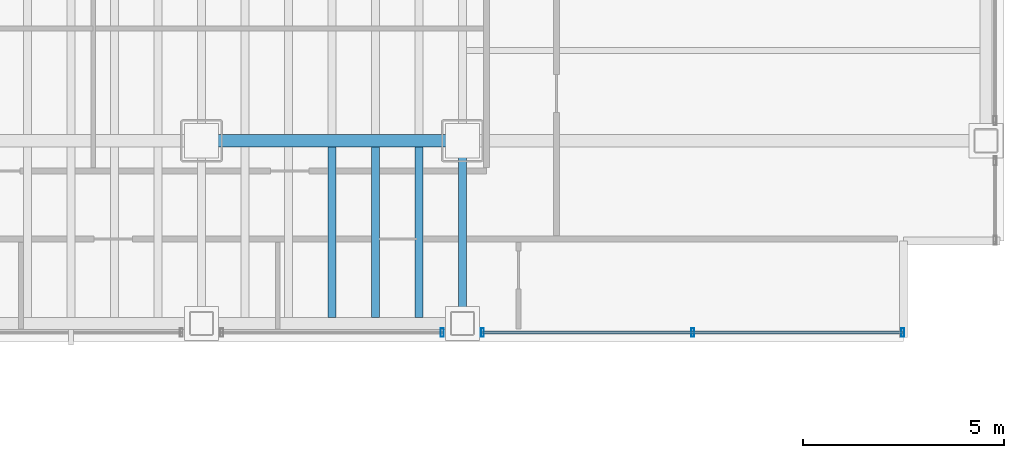
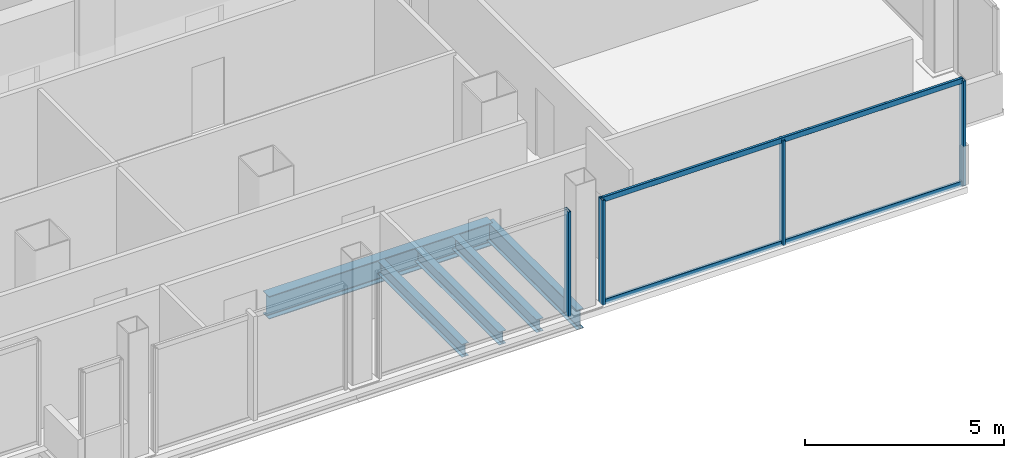
# One storey, part 8 of 20: 6 members, 5 beams, 2 elements without a shape of their own.
"""IFC4 building model written with IfcOpenShell, lengths in metres."""

from ifc_helpers import new_model, si_unit, direction, frame, origin, origin_2d, place, context, subcontext, project, spatial, hollow_rectangle, i_section, extrude, material, material_profile, profile_set, type_object, element, aggregate, save


model = new_model("IFC4")

# Units and contexts
model_context = context("Model", 3, precision=1e-05, world=origin(), true_north=direction((0.0, 1.0)))
body_context = subcontext(model_context, "Body", "Model", "MODEL_VIEW")
ifc_project = project(units=[si_unit("LENGTHUNIT", "METRE"), si_unit("AREAUNIT", "SQUARE_METRE"), si_unit("VOLUMEUNIT", "CUBIC_METRE"), si_unit("PLANEANGLEUNIT", "RADIAN"), si_unit("MASSUNIT", "GRAM", prefix="KILO")], contexts=[model_context])

# Site, building, storey
site_placement = place(None, origin())
site = spatial("IfcSite", under=ifc_project, at=site_placement, CompositionType="ELEMENT")
building_placement = place(site_placement, origin())
building = spatial("IfcBuilding", under=site, at=building_placement, Name="Noeulbin Bourse Tower", CompositionType="ELEMENT")
storey_placement = place(building_placement, frame((0.0, 0.0, 69.39990234375)))
storey = spatial("IfcBuildingStorey", under=building, at=storey_placement, Name="L17", CompositionType="ELEMENT", Elevation=69.39990234375)

# Beams
ifc_material_1 = material(Name="Steel S355", Category="steel")
ifc_material_profile_1 = material_profile(ifc_material_1, i_section(OverallWidth=0.199951171875, OverallDepth=0.60009765625, WebThickness=0.010986328125, FlangeThickness=0.01708984375, FilletRadius=0.02197265625, at=origin_2d()), Name="H-600x200x11x17", Category="LoadBearing")
ifc_profile_set_1 = profile_set([ifc_material_profile_1], Name="Steel S355")
beam_type_1 = type_object("IfcBeamType", Name="BM-GRD-600", PredefinedType="USERDEFINED", material=ifc_profile_set_1)
beam_1_placement = place(storey_placement, frame((44.0, 15.449951171875, -0.47998046875), z_axis=(0.0, 1.0, 0.0), x_axis=(-1.0, 0.0, 0.0)))
element("IfcBeam", 1, at=beam_1_placement, inside=storey, type_object=beam_type_1, Name="Tower Primary Girder NS L17-5.1", ObjectType="GIRDER", PredefinedType="USERDEFINED", context=body_context, shape_type="SweptSolid", body=[
    extrude(i_section(OverallWidth=0.199951171875, OverallDepth=0.60009765625, WebThickness=0.010986328125, FlangeThickness=0.01708984375, FilletRadius=0.02197265625, at=origin_2d()), origin(), (0.0, 0.0, 1.0), 4.550048828125),
])
ifc_material_profile_2 = material_profile(ifc_material_1, i_section(OverallWidth=0.300048828125, OverallDepth=0.699951171875, WebThickness=0.012939453125, FlangeThickness=0.02392578125, FilletRadius=0.02392578125, at=origin_2d()), Name="H-700x300x13x24", Category="LoadBearing")
ifc_profile_set_2 = profile_set([ifc_material_profile_2], Name="Steel S355")
beam_type_2 = type_object("IfcBeamType", Name="BM-GRD-700", PredefinedType="USERDEFINED", material=ifc_profile_set_2)
beam_2_placement = place(storey_placement, frame((37.5, 20.0, -0.52978515625), z_axis=(1.0, 0.0, 0.0), x_axis=(0.0, 1.0, 0.0)))
element("IfcBeam", 2, at=beam_2_placement, inside=storey, type_object=beam_type_2, Name="Tower Primary Girder EW L17-1.5", ObjectType="GIRDER", PredefinedType="USERDEFINED", context=body_context, shape_type="SweptSolid", body=[
    extrude(i_section(OverallWidth=0.300048828125, OverallDepth=0.699951171875, WebThickness=0.012939453125, FlangeThickness=0.02392578125, FilletRadius=0.02392578125, at=origin_2d()), origin(), (0.0, 0.0, 1.0), 6.5),
])
ifc_material_profile_3 = material_profile(ifc_material_1, i_section(OverallWidth=0.199951171875, OverallDepth=0.39990234375, WebThickness=0.008056640625, FlangeThickness=0.012939453125, FilletRadius=0.01611328125, at=origin_2d()), Name="H-400x200x8x13", Category="LoadBearing")
ifc_profile_set_3 = profile_set([ifc_material_profile_3], Name="Steel S355")
beam_type_3 = type_object("IfcBeamType", Name="BM-SEC-400", PredefinedType="BEAM", material=ifc_profile_set_3)
for number, where, z_axis, x_axis, name in (
    (3, (40.75, 15.60009765625, -0.3798828125), (0.0, 1.0, 0.0), (-1.0, 0.0, 0.0), "Tower Composite Joist L17-61"),
    (4, (41.833251953125, 15.60009765625, -0.3798828125), (0.0, 1.0, 0.0), (-1.0, 0.0, 0.0), "Tower Composite Joist L17-64"),
    (5, (42.916748046875, 15.60009765625, -0.3798828125), (0.0, 1.0, 0.0), (-1.0, 0.0, 0.0), "Tower Composite Joist L17-67"),
):
    element("IfcBeam", number, at=place(storey_placement, frame(where, z_axis=z_axis, x_axis=x_axis)), inside=storey, type_object=beam_type_3, Name=name, PredefinedType="BEAM", context=body_context, shape_type="SweptSolid", body=[
        extrude(i_section(OverallWidth=0.199951171875, OverallDepth=0.39990234375, WebThickness=0.008056640625, FlangeThickness=0.012939453125, FilletRadius=0.01611328125, at=origin_2d()), origin(), (0.0, 0.0, 1.0), 4.25),
    ])

# Curtain wall, member
ifc_material_2 = material(Name="Dark Solar-Control Double Glazing", Category="glass")
curtain_wall_type = type_object("IfcCurtainWallType", Name="CW-SYS-2", PredefinedType="NOTDEFINED", material=ifc_material_2)
curtain_wall_1_placement = place(storey_placement, origin())
curtain_wall_1 = element("IfcCurtainWall", 6, at=curtain_wall_1_placement, inside=storey, type_object=curtain_wall_type, Name="Unitised Curtain Wall CW-L17-S3-S3", PredefinedType="NOTDEFINED")
ifc_material_3 = material(Name="Anodised Aluminium 6063-T6", Category="aluminium")
ifc_material_profile_4 = material_profile(ifc_material_3, hollow_rectangle(XDim=0.074951171875, YDim=0.219970703125, WallThickness=0.0048828125, InnerFilletRadius=0.00244140625, OuterFilletRadius=0.0048828125, at=origin_2d()), Name="ALU-MULL-75x220x5", Category="LoadBearing")
ifc_profile_set_4 = profile_set([ifc_material_profile_4], Name="Anodised Aluminium 6063-T6")
member_type_1 = type_object("IfcMemberType", Name="CW-SYS-2-MUL", PredefinedType="MULLION", material=ifc_profile_set_4)
member_1_placement = place(storey_placement, frame((43.5, 15.219970703125, -0.02001953125), z_axis=(0.0, 0.0, 1.0), x_axis=(1.0, 0.0, 0.0)))
member_1 = element("IfcMember", 7, at=member_1_placement, type_object=member_type_1, Name="Curtain Wall Mullion CW-L17-S3-S3-M01", PredefinedType="MULLION", context=body_context, shape_type="SweptSolid", body=[
    extrude(hollow_rectangle(XDim=0.074951171875, YDim=0.219970703125, WallThickness=0.0048828125, InnerFilletRadius=0.00244140625, OuterFilletRadius=0.0048828125, at=origin_2d()), origin(), (0.0, 0.0, 1.0), 3.22021484375),
])
aggregate(curtain_wall_1, [member_1])

# Curtain wall, members
curtain_wall_2_placement = place(storey_placement, origin())
curtain_wall_2 = element("IfcCurtainWall", 8, at=curtain_wall_2_placement, inside=storey, type_object=curtain_wall_type, Name="Unitised Curtain Wall CW-L17-S3-S4", PredefinedType="NOTDEFINED")
member_2_placement = place(storey_placement, frame((44.5, 15.219970703125, -0.02001953125), z_axis=(0.0, 0.0, 1.0), x_axis=(1.0, 0.0, 0.0)))
member_2 = element("IfcMember", 9, at=member_2_placement, type_object=member_type_1, Name="Curtain Wall Mullion CW-L17-S3-S4-M00", PredefinedType="MULLION", context=body_context, shape_type="SweptSolid", body=[
    extrude(hollow_rectangle(XDim=0.074951171875, YDim=0.219970703125, WallThickness=0.0048828125, InnerFilletRadius=0.00244140625, OuterFilletRadius=0.0048828125, at=origin_2d()), origin(), (0.0, 0.0, 1.0), 3.22021484375),
])
member_3_placement = place(storey_placement, frame((49.739990234375, 15.219970703125, -0.02001953125), z_axis=(0.0, 0.0, 1.0), x_axis=(1.0, 0.0, 0.0)))
member_3 = element("IfcMember", 10, at=member_3_placement, type_object=member_type_1, Name="Curtain Wall Mullion CW-L17-S3-S4-M01", PredefinedType="MULLION", context=body_context, shape_type="SweptSolid", body=[
    extrude(hollow_rectangle(XDim=0.074951171875, YDim=0.219970703125, WallThickness=0.0048828125, InnerFilletRadius=0.00244140625, OuterFilletRadius=0.0048828125, at=origin_2d()), origin(), (0.0, 0.0, 1.0), 3.22021484375),
])
member_4_placement = place(storey_placement, frame((54.97998046875, 15.219970703125, -0.02001953125), z_axis=(0.0, 0.0, 1.0), x_axis=(1.0, 0.0, 0.0)))
member_4 = element("IfcMember", 11, at=member_4_placement, type_object=member_type_1, Name="Curtain Wall Mullion CW-L17-S3-S4-M02", PredefinedType="MULLION", context=body_context, shape_type="SweptSolid", body=[
    extrude(hollow_rectangle(XDim=0.074951171875, YDim=0.219970703125, WallThickness=0.0048828125, InnerFilletRadius=0.00244140625, OuterFilletRadius=0.0048828125, at=origin_2d()), origin(), (0.0, 0.0, 1.0), 3.22021484375),
])
ifc_material_profile_5 = material_profile(ifc_material_3, hollow_rectangle(XDim=0.074951171875, YDim=0.159912109375, WallThickness=0.0048828125, InnerFilletRadius=0.00244140625, OuterFilletRadius=0.0048828125, at=origin_2d()), Name="ALU-TRAN-75x160x5", Category="LoadBearing")
ifc_profile_set_5 = profile_set([ifc_material_profile_5], Name="Anodised Aluminium 6063-T6")
member_type_2 = type_object("IfcMemberType", Name="CW-SYS-2-TRN", PredefinedType="USERDEFINED", material=ifc_profile_set_5)
member_5_placement = place(storey_placement, frame((44.510009765625, 15.219970703125, 0.010009765625), z_axis=(1.0, 0.0, 0.0), x_axis=(0.0, 1.0, 0.0)))
member_5 = element("IfcMember", 12, at=member_5_placement, type_object=member_type_2, Name="Curtain Wall Transom CW-L17-S3-S4-T00", ObjectType="TRANSOM", PredefinedType="USERDEFINED", context=body_context, shape_type="SweptSolid", body=[
    extrude(hollow_rectangle(XDim=0.074951171875, YDim=0.159912109375, WallThickness=0.0048828125, InnerFilletRadius=0.00244140625, OuterFilletRadius=0.0048828125, at=origin_2d()), origin(), (0.0, 0.0, 1.0), 10.4599609375),
])
member_6_placement = place(storey_placement, frame((44.510009765625, 15.219970703125, 3.170166015625), z_axis=(1.0, 0.0, 0.0), x_axis=(0.0, 1.0, 0.0)))
member_6 = element("IfcMember", 13, at=member_6_placement, type_object=member_type_2, Name="Curtain Wall Transom CW-L17-S3-S4-T01", ObjectType="TRANSOM", PredefinedType="USERDEFINED", context=body_context, shape_type="SweptSolid", body=[
    extrude(hollow_rectangle(XDim=0.074951171875, YDim=0.159912109375, WallThickness=0.0048828125, InnerFilletRadius=0.00244140625, OuterFilletRadius=0.0048828125, at=origin_2d()), origin(), (0.0, 0.0, 1.0), 10.4599609375),
])
aggregate(curtain_wall_2, [member_2, member_3, member_4, member_5, member_6])

save(model, "model.ifc")
